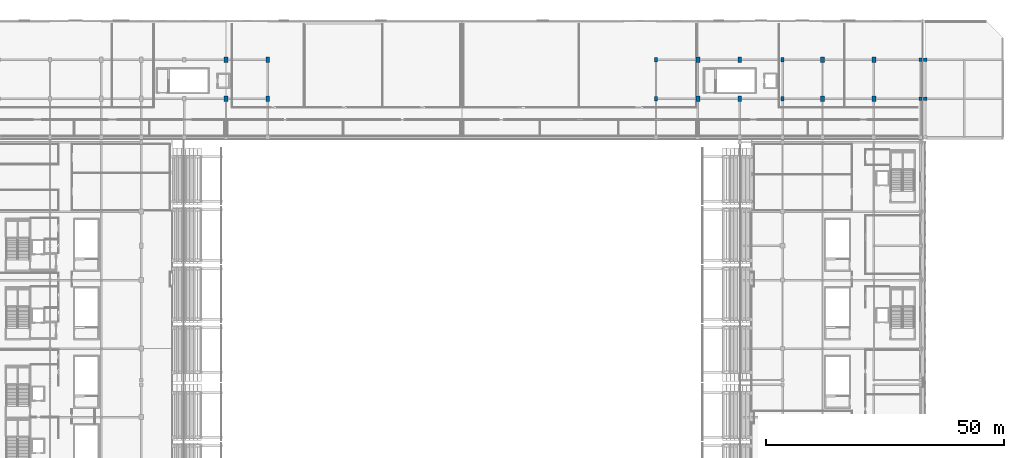
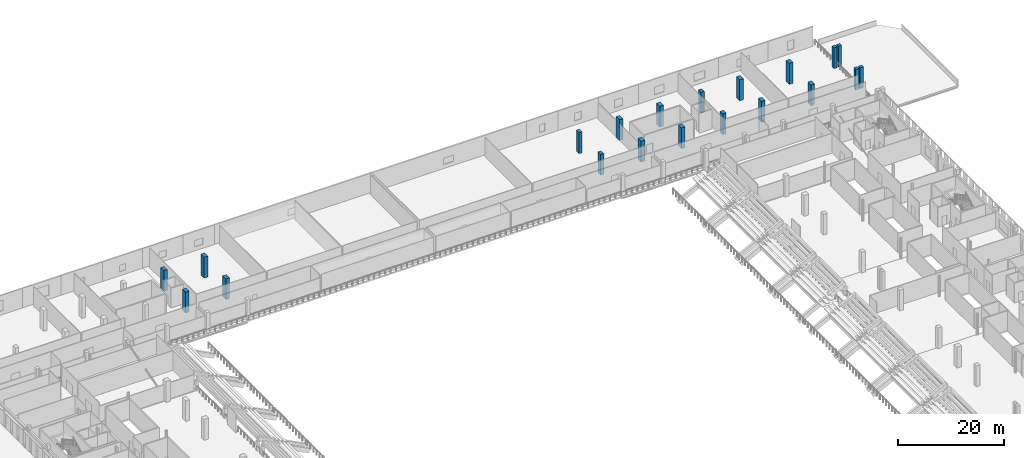
# One storey, part 12 of 74: 20 columns.
"""IFC4 building model written with IfcOpenShell, lengths in metres."""

from ifc_helpers import new_model, si_unit, direction, frame, origin, origin_2d, place, context, subcontext, project, spatial, rectangle, extrude, material, material_profile, profile_set, type_object, element, save


model = new_model("IFC4")

# Units and contexts
model_context = context("Model", 3, precision=1e-05, world=origin(), true_north=direction((0.0, 1.0)))
body_context = subcontext(model_context, "Body", "Model", "MODEL_VIEW")
ifc_project = project(units=[si_unit("LENGTHUNIT", "METRE"), si_unit("AREAUNIT", "SQUARE_METRE"), si_unit("VOLUMEUNIT", "CUBIC_METRE"), si_unit("PLANEANGLEUNIT", "RADIAN"), si_unit("MASSUNIT", "GRAM", prefix="KILO")], contexts=[model_context])

# Site, building, storey
site_placement = place(None, origin())
site = spatial("IfcSite", under=ifc_project, at=site_placement, CompositionType="ELEMENT")
building_placement = place(site_placement, origin())
building = spatial("IfcBuilding", under=site, at=building_placement, Name="Koshinbarg Plaza Stadium", CompositionType="ELEMENT")
storey_placement = place(building_placement, frame((0.0, 0.0, 15.0)))
storey = spatial("IfcBuildingStorey", under=building, at=storey_placement, Name="L03", CompositionType="ELEMENT", Elevation=15.0)

# Columns
ifc_material = material(Name="Concrete C40/50", Category="concrete")
ifc_material_profile_1 = material_profile(ifc_material, rectangle(XDim=0.699951171875, YDim=0.699951171875, at=origin_2d()), Name="RC 700x700")
ifc_profile_set_1 = profile_set([ifc_material_profile_1], Name="Concrete C40/50")
column_type_1 = type_object("IfcColumnType", Name="COL-RC-06", PredefinedType="COLUMN", material=ifc_profile_set_1)
for number, where, z_axis, x_axis, name in (
    (1, (218.39990234375, 135.60009765625, 0.0), (0.0, 0.0, 1.0), (1.0, 0.0, 0.0), "L03 column 21/T"),
    (2, (218.39990234375, 143.800048828125, 0.0), (0.0, 0.0, 1.0), (1.0, 0.0, 0.0), "L03 column 21/U"),
    (3, (219.39990234375, 135.60009765625, 0.0), (0.0, 0.0, 1.0), (1.0, 0.0, 0.0), "L03 column 22/T"),
    (4, (219.39990234375, 143.800048828125, 0.0), (0.0, 0.0, 1.0), (1.0, 0.0, 0.0), "L03 column 22/U"),
):
    element("IfcColumn", number, at=place(storey_placement, frame(where, z_axis=z_axis, x_axis=x_axis)), inside=storey, type_object=column_type_1, Name=name, PredefinedType="COLUMN", context=body_context, shape_type="SweptSolid", body=[
        extrude(rectangle(XDim=0.699951171875, YDim=0.699951171875, at=origin_2d()), origin(), (0.0, 0.0, 1.0), 4.800048828125),
    ])
ifc_material_profile_2 = material_profile(ifc_material, rectangle(XDim=0.699951171875, YDim=1.0, at=origin_2d()), Name="RC 700x1000")
ifc_profile_set_2 = profile_set([ifc_material_profile_2], Name="Concrete C40/50")
column_type_2 = type_object("IfcColumnType", Name="COL-RC-13", PredefinedType="COLUMN", material=ifc_profile_set_2)
for number, where, z_axis, x_axis, name in (
    (5, (162.800048828125, 135.60009765625, 0.0), (0.0, 0.0, 1.0), (1.0, 0.0, 0.0), "L03 column 15/T"),
    (6, (162.800048828125, 143.800048828125, 0.0), (0.0, 0.0, 1.0), (1.0, 0.0, 0.0), "L03 column 15/U"),
    (7, (189.39990234375, 135.60009765625, 0.0), (0.0, 0.0, 1.0), (1.0, 0.0, 0.0), "L03 column 18/T"),
    (8, (189.39990234375, 143.800048828125, 0.0), (0.0, 0.0, 1.0), (1.0, 0.0, 0.0), "L03 column 18/U"),
):
    element("IfcColumn", number, at=place(storey_placement, frame(where, z_axis=z_axis, x_axis=x_axis)), inside=storey, type_object=column_type_2, Name=name, PredefinedType="COLUMN", context=body_context, shape_type="SweptSolid", body=[
        extrude(rectangle(XDim=0.699951171875, YDim=1.0, at=origin_2d()), origin(), (0.0, 0.0, 1.0), 4.800048828125),
    ])
ifc_material_profile_3 = material_profile(ifc_material, rectangle(XDim=0.800048828125, YDim=1.199951171875, at=origin_2d()), Name="RC 800x1200")
ifc_profile_set_3 = profile_set([ifc_material_profile_3], Name="Concrete C40/50")
column_type_3 = type_object("IfcColumnType", Name="COL-RC-14", PredefinedType="COLUMN", material=ifc_profile_set_3)
for number, where, z_axis, x_axis, name in (
    (9, (72.39990234375, 135.60009765625, 0.0), (0.0, 0.0, 1.0), (1.0, 0.0, 0.0), "L03 column 10/T"),
    (10, (72.39990234375, 143.800048828125, 0.0), (0.0, 0.0, 1.0), (1.0, 0.0, 0.0), "L03 column 10/U"),
    (11, (81.199951171875, 135.60009765625, 0.0), (0.0, 0.0, 1.0), (1.0, 0.0, 0.0), "L03 column 11/T"),
    (12, (81.199951171875, 143.800048828125, 0.0), (0.0, 0.0, 1.0), (1.0, 0.0, 0.0), "L03 column 11/U"),
    (13, (171.60009765625, 135.60009765625, 0.0), (0.0, 0.0, 1.0), (1.0, 0.0, 0.0), "L03 column 16/T"),
    (14, (171.60009765625, 143.800048828125, 0.0), (0.0, 0.0, 1.0), (1.0, 0.0, 0.0), "L03 column 16/U"),
    (15, (180.39990234375, 135.60009765625, 0.0), (0.0, 0.0, 1.0), (1.0, 0.0, 0.0), "L03 column 17/T"),
    (16, (180.39990234375, 143.800048828125, 0.0), (0.0, 0.0, 1.0), (1.0, 0.0, 0.0), "L03 column 17/U"),
    (17, (197.800048828125, 135.60009765625, 0.0), (0.0, 0.0, 1.0), (1.0, 0.0, 0.0), "L03 column 19/T"),
    (18, (197.800048828125, 143.800048828125, 0.0), (0.0, 0.0, 1.0), (1.0, 0.0, 0.0), "L03 column 19/U"),
    (19, (208.60009765625, 135.60009765625, 0.0), (0.0, 0.0, 1.0), (1.0, 0.0, 0.0), "L03 column 20/T"),
    (20, (208.60009765625, 143.800048828125, 0.0), (0.0, 0.0, 1.0), (1.0, 0.0, 0.0), "L03 column 20/U"),
):
    element("IfcColumn", number, at=place(storey_placement, frame(where, z_axis=z_axis, x_axis=x_axis)), inside=storey, type_object=column_type_3, Name=name, PredefinedType="COLUMN", context=body_context, shape_type="SweptSolid", body=[
        extrude(rectangle(XDim=0.800048828125, YDim=1.199951171875, at=origin_2d()), origin(), (0.0, 0.0, 1.0), 4.800048828125),
    ])

save(model, "model.ifc")
